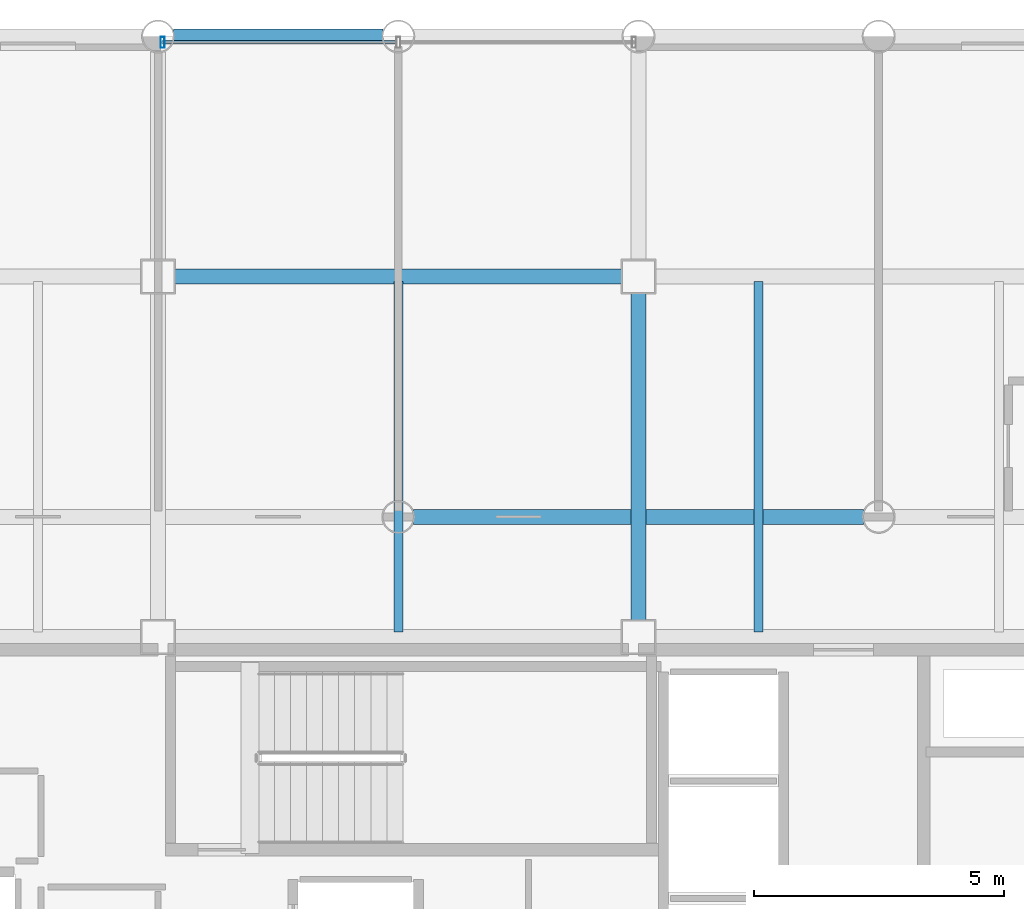
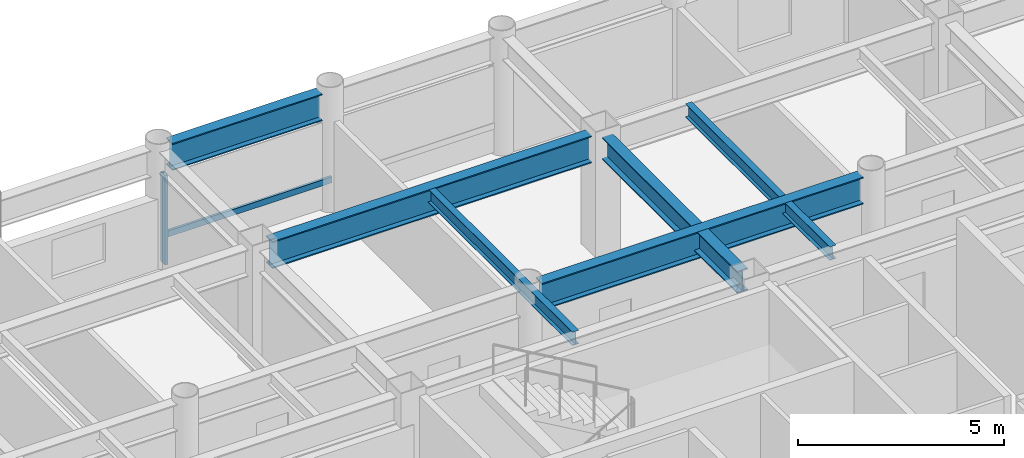
# One storey, part 11 of 20: 6 beams, 2 members, 1 element without a shape of its own.
"""IFC4 building model written with IfcOpenShell, lengths in metres."""

from ifc_helpers import new_model, si_unit, direction, frame, origin, origin_2d, place, context, subcontext, project, spatial, hollow_rectangle, i_section, extrude, material, layer, layer_set, material_profile, profile_set, type_object, element, aggregate, save


model = new_model("IFC4")

# Units and contexts
model_context = context("Model", 3, precision=1e-05, world=origin(), true_north=direction((0.0, 1.0)))
body_context = subcontext(model_context, "Body", "Model", "MODEL_VIEW")
ifc_project = project(units=[si_unit("LENGTHUNIT", "METRE"), si_unit("AREAUNIT", "SQUARE_METRE"), si_unit("VOLUMEUNIT", "CUBIC_METRE"), si_unit("PLANEANGLEUNIT", "RADIAN"), si_unit("MASSUNIT", "GRAM", prefix="KILO")], contexts=[model_context])

# Site, building, storey
site_placement = place(None, origin())
site = spatial("IfcSite", under=ifc_project, at=site_placement, CompositionType="ELEMENT")
building_placement = place(site_placement, origin())
building = spatial("IfcBuilding", under=site, at=building_placement, Name="Kallvorn Hotel Tower", CompositionType="ELEMENT")
storey_placement = place(building_placement, frame((0.0, 0.0, 176.60009765625)))
storey = spatial("IfcBuildingStorey", under=building, at=storey_placement, Name="L44", CompositionType="ELEMENT", Elevation=176.60009765625)

# Beams
ifc_material_1 = material(Name="Structural steel S355JR", Category="steel")
ifc_material_profile_1 = material_profile(ifc_material_1, i_section(OverallWidth=0.300048828125, OverallDepth=0.64990234375, WebThickness=0.01611328125, FlangeThickness=0.031005859375, at=origin_2d()), Name="HE 650 B")
ifc_profile_set_1 = profile_set([ifc_material_profile_1], Name="Structural steel S355JR")
beam_type_1 = type_object("IfcBeamType", Name="BM_HE650B", PredefinedType="BEAM", material=ifc_profile_set_1)
beam_1_placement = place(storey_placement, frame((4.800048828125, 7.52490234375, 3.15478515625), z_axis=(0.0, 1.0, 0.0), x_axis=(-1.0, 0.0, 0.0)))
element("IfcBeam", 1, at=beam_1_placement, inside=storey, type_object=beam_type_1, Name="L45 Primary Y-Girder 117", PredefinedType="BEAM", context=body_context, shape_type="SweptSolid", body=[
    extrude(i_section(OverallWidth=0.300048828125, OverallDepth=0.64990234375, WebThickness=0.01611328125, FlangeThickness=0.031005859375, at=origin_2d()), origin(), (0.0, 0.0, 1.0), 6.550048828125),
])
ifc_material_2 = material(Name="Structural steel S355JR", Category="steel")
ifc_material_profile_2 = material_profile(ifc_material_2, i_section(OverallWidth=0.300048828125, OverallDepth=0.800048828125, WebThickness=0.017578125, FlangeThickness=0.032958984375, at=origin_2d()), Name="HE 800 B")
ifc_profile_set_2 = profile_set([ifc_material_profile_2], Name="Structural steel S355JR")
beam_type_2 = type_object("IfcBeamType", Name="BM_HE800B", PredefinedType="BEAM", material=ifc_profile_set_2)
beam_2_placement = place(storey_placement, frame((0.304931640625, 9.60009765625, 3.079833984375), z_axis=(1.0, 0.0, 0.0), x_axis=(0.0, 1.0, 0.0)))
element("IfcBeam", 2, at=beam_2_placement, inside=storey, type_object=beam_type_2, Name="L45 Primary X-Girder 47", PredefinedType="BEAM", context=body_context, shape_type="SweptSolid", body=[
    extrude(i_section(OverallWidth=0.300048828125, OverallDepth=0.800048828125, WebThickness=0.017578125, FlangeThickness=0.032958984375, at=origin_2d()), origin(), (0.0, 0.0, 1.0), 8.989990234375),
])
beam_3_placement = place(storey_placement, frame((-4.47509765625, 14.39990234375, 3.079833984375), z_axis=(1.0, 0.0, 0.0), x_axis=(0.0, 1.0, 0.0)))
element("IfcBeam", 3, at=beam_3_placement, inside=storey, type_object=beam_type_2, Name="L45 Primary X-Girder 56", PredefinedType="BEAM", context=body_context, shape_type="SweptSolid", body=[
    extrude(i_section(OverallWidth=0.300048828125, OverallDepth=0.800048828125, WebThickness=0.017578125, FlangeThickness=0.032958984375, at=origin_2d()), origin(), (0.0, 0.0, 1.0), 8.9501953125),
])
beam_4_placement = place(storey_placement, frame((-4.4951171875, 19.199951171875, 3.079833984375), z_axis=(1.0, 0.0, 0.0), x_axis=(0.0, 1.0, 0.0)))
element("IfcBeam", 4, at=beam_4_placement, inside=storey, type_object=beam_type_2, Name="L45 Primary X-Girder 66", PredefinedType="BEAM", context=body_context, shape_type="SweptSolid", body=[
    extrude(i_section(OverallWidth=0.300048828125, OverallDepth=0.800048828125, WebThickness=0.017578125, FlangeThickness=0.032958984375, at=origin_2d()), origin(), (0.0, 0.0, 1.0), 4.190185546875),
])
ifc_material_3 = material(Name="Structural steel S355JR", Category="steel")
ifc_material_profile_3 = material_profile(ifc_material_3, i_section(OverallWidth=0.179931640625, OverallDepth=0.39990234375, WebThickness=0.008544921875, FlangeThickness=0.013427734375, at=origin_2d()), Name="IPE 400")
ifc_profile_set_3 = profile_set([ifc_material_profile_3], Name="Structural steel S355JR")
beam_type_3 = type_object("IfcBeamType", Name="BM_IPE400", PredefinedType="JOIST", material=ifc_profile_set_3)
for number, where, z_axis, x_axis, name in (
    (5, (0.0, 7.300048828125, 3.27978515625), (0.0, 1.0, 0.0), (-1.0, 0.0, 0.0), "L45 Secondary Composite Joist 201"),
    (6, (7.199951171875, 7.300048828125, 3.27978515625), (0.0, 1.0, 0.0), (-1.0, 0.0, 0.0), "L45 Secondary Composite Joist 203"),
):
    element("IfcBeam", number, at=place(storey_placement, frame(where, z_axis=z_axis, x_axis=x_axis)), inside=storey, type_object=beam_type_3, Name=name, PredefinedType="JOIST", context=body_context, shape_type="SweptSolid", body=[
        extrude(i_section(OverallWidth=0.179931640625, OverallDepth=0.39990234375, WebThickness=0.008544921875, FlangeThickness=0.013427734375, at=origin_2d()), origin(), (0.0, 0.0, 1.0), 7.0),
    ])

# Curtain wall, members
ifc_material_4 = material(Name="Thermally broken black-anodised aluminium AA 6063-T6", Category="aluminium")
ifc_layer = layer(ifc_material_4, 0.2099609375)
ifc_layer_set = layer_set([ifc_layer], Name="CW_SYS_4_HOTEL_MID")
curtain_wall_type = type_object("IfcCurtainWallType", Name="CW_SYS_4_HOTEL_MID", PredefinedType="USERDEFINED", material=ifc_layer_set)
curtain_wall_placement = place(storey_placement, origin())
curtain_wall = element("IfcCurtainWall", 7, at=curtain_wall_placement, inside=storey, type_object=curtain_wall_type, Name="L44 Dark-Glass Curtain Wall CW-L44-NC", ObjectType="UNITISED CURTAIN WALL", PredefinedType="USERDEFINED")
ifc_material_5 = material(Name="Thermally broken black-anodised aluminium AA 6063-T6", Category="aluminium")
ifc_material_profile_4 = material_profile(ifc_material_5, hollow_rectangle(XDim=0.080078125, YDim=0.219970703125, WallThickness=0.0048828125, at=origin_2d()), Name="MUL 220x80")
ifc_profile_set_4 = profile_set([ifc_material_profile_4], Name="Thermally broken black-anodised aluminium AA 6063-T6")
member_type_1 = type_object("IfcMemberType", Name="CW_MULLION_220x80", PredefinedType="MULLION", material=ifc_profile_set_4)
member_1_placement = place(storey_placement, frame((-4.7099609375, 19.080078125, 0.02001953125), z_axis=(0.0, 0.0, 1.0), x_axis=(1.0, 0.0, 0.0)))
member_1 = element("IfcMember", 8, at=member_1_placement, type_object=member_type_1, Name="CW-L44-NC Mullion 00", PredefinedType="MULLION", context=body_context, shape_type="SweptSolid", body=[
    extrude(hollow_rectangle(XDim=0.080078125, YDim=0.219970703125, WallThickness=0.0048828125, at=origin_2d()), origin(), (0.0, 0.0, 1.0), 2.639892578125),
])
ifc_material_6 = material(Name="Thermally broken black-anodised aluminium AA 6063-T6", Category="aluminium")
ifc_material_profile_5 = material_profile(ifc_material_6, hollow_rectangle(XDim=0.070068359375, YDim=0.179931640625, WallThickness=0.00390625, at=origin_2d()), Name="TRN 180x70")
ifc_profile_set_5 = profile_set([ifc_material_profile_5], Name="Thermally broken black-anodised aluminium AA 6063-T6")
member_type_2 = type_object("IfcMemberType", Name="CW_TRANSOM_180x70", PredefinedType="USERDEFINED", material=ifc_profile_set_5)
member_2_placement = place(storey_placement, frame((-4.7099609375, 19.080078125, 0.849853515625), z_axis=(1.0, 0.0, 0.0), x_axis=(0.0, 1.0, 0.0)))
member_2 = element("IfcMember", 9, at=member_2_placement, type_object=member_type_2, Name="CW-L44-NC Transom 00M", ObjectType="TRANSOM", PredefinedType="USERDEFINED", context=body_context, shape_type="SweptSolid", body=[
    extrude(hollow_rectangle(XDim=0.070068359375, YDim=0.179931640625, WallThickness=0.00390625, at=origin_2d()), origin(), (0.0, 0.0, 1.0), 4.669921875),
])
aggregate(curtain_wall, [member_1, member_2])

save(model, "model.ifc")
